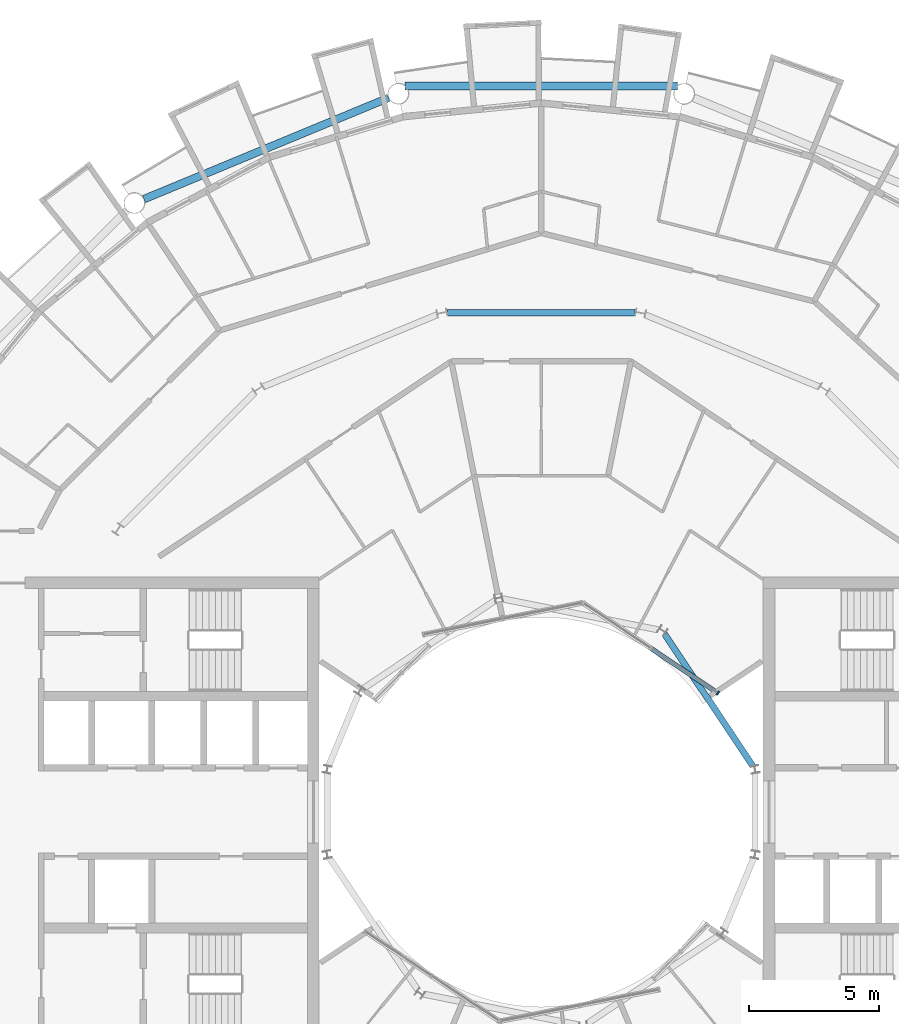
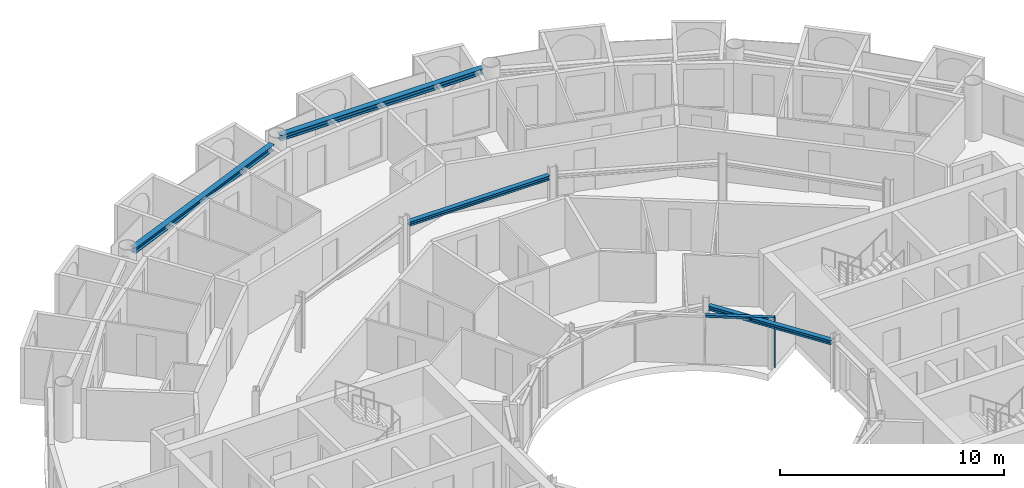
# One storey, part 10 of 27: 4 beams, 2 members, 1 element without a shape of its own.
"""IFC4 building model written with IfcOpenShell, lengths in metres."""

from ifc_helpers import new_model, si_unit, direction, frame, origin, origin_2d, place, context, subcontext, project, spatial, rectangle, i_section, extrude, material, layer, layer_set, material_profile, profile_set, type_object, element, aggregate, save


model = new_model("IFC4")

# Units and contexts
model_context = context("Model", 3, precision=1e-05, world=origin(), true_north=direction((0.0, 1.0)))
body_context = subcontext(model_context, "Body", "Model", "MODEL_VIEW")
ifc_project = project(units=[si_unit("LENGTHUNIT", "METRE"), si_unit("AREAUNIT", "SQUARE_METRE"), si_unit("VOLUMEUNIT", "CUBIC_METRE"), si_unit("PLANEANGLEUNIT", "RADIAN"), si_unit("MASSUNIT", "GRAM", prefix="KILO")], contexts=[model_context])

# Site, building, storey
site_placement = place(None, origin())
site = spatial("IfcSite", under=ifc_project, at=site_placement, CompositionType="ELEMENT")
building_placement = place(site_placement, origin())
building = spatial("IfcBuilding", under=site, at=building_placement, Name="Maasbend Ring Residences", CompositionType="ELEMENT")
storey_placement = place(building_placement, frame((0.0, 0.0, 199.35009765625)))
storey = spatial("IfcBuildingStorey", under=building, at=storey_placement, Name="L57", CompositionType="ELEMENT", Elevation=199.35009765625)

# Curtain wall, members
ifc_material_1 = material(Name="Aluminium and clear glass", Category="aluminium")
ifc_layer = layer(ifc_material_1, 0.179931640625)
ifc_layer_set = layer_set([ifc_layer], Name="CW-W")
curtain_wall_type = type_object("IfcCurtainWallType", Name="CW-W", PredefinedType="NOTDEFINED", material=ifc_layer_set)
curtain_wall_placement = place(storey_placement, origin())
curtain_wall = element("IfcCurtainWall", 1, at=curtain_wall_placement, inside=storey, type_object=curtain_wall_type, Name="Well curtain wall N1", PredefinedType="NOTDEFINED")
ifc_material_2 = material(Name="Aluminium 6063-T6", Category="aluminium")
ifc_material_profile_1 = material_profile(ifc_material_2, rectangle(XDim=0.179931640625, YDim=0.06005859375, at=origin_2d()), Name="AL 180x60")
ifc_profile_set_1 = profile_set([ifc_material_profile_1], Name="Aluminium 6063-T6")
member_type_1 = type_object("IfcMemberType", Name="CWM-W", PredefinedType="MULLION", material=ifc_profile_set_1)
member_1_placement = place(storey_placement, frame((6.805908203125, 4.580810546875, 0.0), z_axis=(0.0, 0.0, 1.0), x_axis=(-0.55557023302, -0.831469612303, 0.0)))
member_1 = element("IfcMember", 2, at=member_1_placement, type_object=member_type_1, Name="Mullion well face", PredefinedType="MULLION", context=body_context, shape_type="SweptSolid", body=[
    extrude(rectangle(XDim=0.179931640625, YDim=0.06005859375, at=origin_2d()), origin(), (0.0, 0.0, 1.0), 2.699951171875),
])
ifc_material_3 = material(Name="Aluminium 6063-T6", Category="aluminium")
ifc_material_profile_2 = material_profile(ifc_material_3, rectangle(XDim=0.179931640625, YDim=0.1201171875, at=origin_2d()), Name="AL 180x120")
ifc_profile_set_2 = profile_set([ifc_material_profile_2], Name="Aluminium 6063-T6")
member_type_2 = type_object("IfcMemberType", Name="CWT-W", PredefinedType="USERDEFINED", material=ifc_profile_set_2)
member_2_placement = place(storey_placement, frame((6.781005859375, 4.59765625, 2.639892578125), z_axis=(-0.831496422459, 0.555530106689, 0.0), x_axis=(-0.555530106689, -0.831496422459, 0.0)))
member_2 = element("IfcMember", 3, at=member_2_placement, type_object=member_type_2, Name="Transom well face", ObjectType="TRANSOM", PredefinedType="USERDEFINED", context=body_context, shape_type="SweptSolid", body=[
    extrude(rectangle(XDim=0.179931640625, YDim=0.1201171875, at=origin_2d()), origin(), (0.0, 0.0, 1.0), 3.053955078125),
])
aggregate(curtain_wall, [member_1, member_2])

# Beams
ifc_material_4 = material(Name="Steel S355J2", Category="steel")
ifc_material_profile_3 = material_profile(ifc_material_4, i_section(OverallWidth=0.239990234375, OverallDepth=0.22998046875, WebThickness=0.007568359375, FlangeThickness=0.011962890625, FilletRadius=0.02099609375, at=origin_2d()), Name="HEA 240")
ifc_profile_set_3 = profile_set([ifc_material_profile_3], Name="Steel S355J2")
beam_type_1 = type_object("IfcBeamType", Name="Corridor ring beam HEA 240", PredefinedType="BEAM", material=ifc_profile_set_3)
beam_1_placement = place(storey_placement, frame((3.619873046875, 19.223388671875, 2.5849609375), z_axis=(-1.0, 0.0, 0.0), x_axis=(0.0, -1.0, 0.0)))
element("IfcBeam", 4, at=beam_1_placement, inside=storey, type_object=beam_type_1, Name="Corridor ring beam", PredefinedType="BEAM", context=body_context, shape_type="SweptSolid", body=[
    extrude(i_section(OverallWidth=0.239990234375, OverallDepth=0.22998046875, WebThickness=0.007568359375, FlangeThickness=0.011962890625, FilletRadius=0.02099609375, at=origin_2d()), origin(), (0.0, 0.0, 1.0), 7.23974609375),
])
ifc_material_5 = material(Name="Steel S355J2", Category="steel")
ifc_material_profile_4 = material_profile(ifc_material_5, i_section(OverallWidth=0.300048828125, OverallDepth=0.300048828125, WebThickness=0.010986328125, FlangeThickness=0.01904296875, FilletRadius=0.027099609375, at=origin_2d()), Name="HEB 300")
ifc_profile_set_4 = profile_set([ifc_material_profile_4], Name="Steel S355J2")
beam_type_2 = type_object("IfcBeamType", Name="Spandrel ring beam HEB 300", PredefinedType="SPANDREL", material=ifc_profile_set_4)
beam_2_placement = place(storey_placement, frame((5.2451171875, 27.9580078125, 2.5498046875), z_axis=(-1.0, 0.0, 0.0), x_axis=(0.0, -1.0, 0.0)))
element("IfcBeam", 5, at=beam_2_placement, inside=storey, type_object=beam_type_2, Name="Spandrel ring beam", PredefinedType="SPANDREL", context=body_context, shape_type="SweptSolid", body=[
    extrude(i_section(OverallWidth=0.300048828125, OverallDepth=0.300048828125, WebThickness=0.010986328125, FlangeThickness=0.01904296875, FilletRadius=0.027099609375, at=origin_2d()), origin(), (0.0, 0.0, 1.0), 10.490234375),
])
beam_3_placement = place(storey_placement, frame((-5.877197265625, 27.50244140625, 2.5498046875), z_axis=(-0.923883676188, -0.382673428492, 0.0), x_axis=(0.382673428492, -0.923883676188, 0.0)))
element("IfcBeam", 6, at=beam_3_placement, inside=storey, type_object=beam_type_2, Name="Spandrel ring beam", PredefinedType="SPANDREL", context=body_context, shape_type="SweptSolid", body=[
    extrude(i_section(OverallWidth=0.300048828125, OverallDepth=0.300048828125, WebThickness=0.010986328125, FlangeThickness=0.01904296875, FilletRadius=0.027099609375, at=origin_2d()), origin(), (0.0, 0.0, 1.0), 10.18994140625),
])
ifc_material_6 = material(Name="Steel S355J2", Category="steel")
ifc_material_profile_5 = material_profile(ifc_material_6, i_section(OverallWidth=0.239990234375, OverallDepth=0.22998046875, WebThickness=0.007568359375, FlangeThickness=0.011962890625, FilletRadius=0.02099609375, at=origin_2d()), Name="HEA 240")
ifc_profile_set_5 = profile_set([ifc_material_profile_5], Name="Steel S355J2")
beam_type_3 = type_object("IfcBeamType", Name="Well edge beam HEA 240", PredefinedType="BEAM", material=ifc_profile_set_5)
beam_4_placement = place(storey_placement, frame((8.1513671875, 1.769287109375, 2.5849609375), z_axis=(-0.555584356119, 0.831460175376, 0.0), x_axis=(-0.831460175376, -0.555584356119, 0.0)))
element("IfcBeam", 7, at=beam_4_placement, inside=storey, type_object=beam_type_3, Name="Well edge beam", PredefinedType="BEAM", context=body_context, shape_type="SweptSolid", body=[
    extrude(i_section(OverallWidth=0.239990234375, OverallDepth=0.22998046875, WebThickness=0.007568359375, FlangeThickness=0.011962890625, FilletRadius=0.02099609375, at=origin_2d()), origin(), (0.0, 0.0, 1.0), 6.115234375),
])

save(model, "model.ifc")
